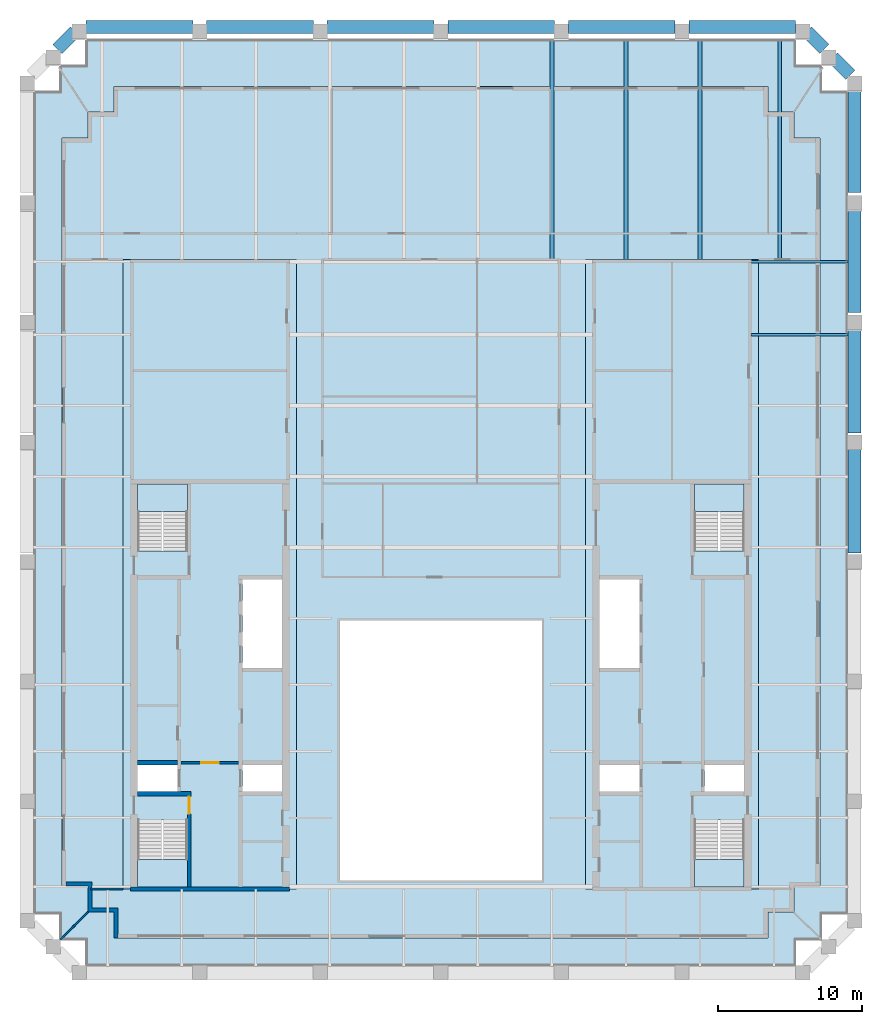
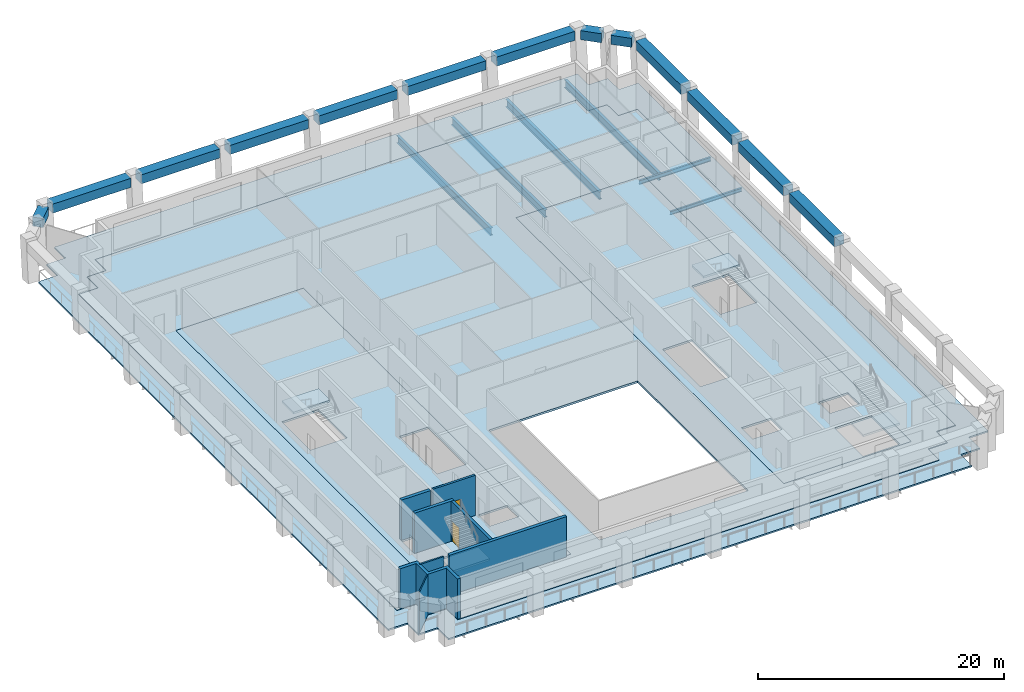
# One storey, part 2 of 8: 19 beams, 8 slabs, 8 walls, 2 doors, 2 openings, 4 elements without a shape of their own.
"""IFC4 building model written with IfcOpenShell, lengths in metres."""

from ifc_helpers import new_model, si_unit, direction, frame, frame_2d, origin, origin_2d, place, context, subcontext, project, spatial, polyline, rectangle, i_section, outline, extrude, material, layer, layer_set, material_profile, profile_set, type_object, element, fill, aggregate, save


model = new_model("IFC4")

# Units and contexts
model_context = context("Model", 3, precision=1e-05, world=origin(), true_north=direction((0.0, 1.0)))
body_context = subcontext(model_context, "Body", "Model", "MODEL_VIEW")
ifc_project = project(units=[si_unit("LENGTHUNIT", "METRE"), si_unit("AREAUNIT", "SQUARE_METRE"), si_unit("VOLUMEUNIT", "CUBIC_METRE"), si_unit("PLANEANGLEUNIT", "RADIAN"), si_unit("MASSUNIT", "GRAM", prefix="KILO")], contexts=[model_context])

# Site, building, storey
site_placement = place(None, origin())
site = spatial("IfcSite", under=ifc_project, at=site_placement, CompositionType="ELEMENT")
building_placement = place(site_placement, origin())
building = spatial("IfcBuilding", under=site, at=building_placement, Name="Ogive Exchange Tower", CompositionType="ELEMENT")
storey_placement = place(building_placement, frame((0.0, 0.0, 317.39990234375)))
storey = spatial("IfcBuildingStorey", under=building, at=storey_placement, Name="L69", CompositionType="ELEMENT", Elevation=317.39990234375)

# Beams
ifc_material_1 = material(Name="Steel ASTM A992 Gr50", Category="steel")
ifc_material_profile_1 = material_profile(ifc_material_1, i_section(OverallWidth=0.1708984375, OverallDepth=0.35595703125, WebThickness=0.00732421875, FlangeThickness=0.01171875, at=origin_2d()), Name="W360x51")
ifc_profile_set_1 = profile_set([ifc_material_profile_1], Name="Steel ASTM A992 Gr50")
beam_type_1 = type_object("IfcBeamType", Name="Floor beam W360x51", PredefinedType="JOIST", material=ifc_profile_set_1)
beam_1_placement = place(storey_placement, frame((21.47998046875, 35.782958984375, -0.3779296875), z_axis=(1.0, 0.0, 0.0), x_axis=(0.0, 1.0, 0.0)))
element("IfcBeam", 1, at=beam_1_placement, inside=storey, type_object=beam_type_1, Name="Floor beam", PredefinedType="JOIST", context=body_context, shape_type="SweptSolid", body=[
    extrude(i_section(OverallWidth=0.1708984375, OverallDepth=0.35595703125, WebThickness=0.00732421875, FlangeThickness=0.01171875, at=origin_2d()), origin(), (0.0, 0.0, 1.0), 6.719970703125),
])
ifc_material_profile_2 = material_profile(ifc_material_1, i_section(OverallWidth=0.26708984375, OverallDepth=0.75390625, WebThickness=0.01318359375, FlangeThickness=0.01708984375, at=origin_2d()), Name="W760x147")
ifc_profile_set_2 = profile_set([ifc_material_profile_2], Name="Steel ASTM A992 Gr50")
beam_type_2 = type_object("IfcBeamType", Name="Floor beam W760x147", PredefinedType="JOIST", material=ifc_profile_set_2)
beam_2_placement = place(storey_placement, frame((7.69091796875, 40.9951171875, -0.576904296875), z_axis=(0.0, 1.0, 0.0), x_axis=(-1.0, 0.0, 0.0)))
element("IfcBeam", 2, at=beam_2_placement, inside=storey, type_object=beam_type_2, Name="Floor beam", PredefinedType="JOIST", context=body_context, shape_type="SweptSolid", body=[
    extrude(i_section(OverallWidth=0.26708984375, OverallDepth=0.75390625, WebThickness=0.01318359375, FlangeThickness=0.01708984375, at=origin_2d()), origin(), (0.0, 0.0, 1.0), 15.263916015625),
])
for number, where, z_axis, x_axis, name in (
    (3, (12.818115234375, 41.0, -0.576904296875), (0.0, 1.0, 0.0), (-1.0, 0.0, 0.0), "Floor beam"),
    (4, (17.945556640625, 41.0, -0.576904296875), (0.0, 1.0, 0.0), (-1.0, 0.0, 0.0), "Floor beam"),
):
    element("IfcBeam", number, at=place(storey_placement, frame(where, z_axis=z_axis, x_axis=x_axis)), inside=storey, type_object=beam_type_2, Name=name, PredefinedType="JOIST", context=body_context, shape_type="SweptSolid", body=[
        extrude(i_section(OverallWidth=0.26708984375, OverallDepth=0.75390625, WebThickness=0.01318359375, FlangeThickness=0.01708984375, at=origin_2d()), origin(), (0.0, 0.0, 1.0), 15.259033203125),
    ])
beam_3_placement = place(storey_placement, frame((23.47265625, 40.93408203125, -0.576904296875), z_axis=(0.0, 1.0, 0.0), x_axis=(-1.0, 0.0, 0.0)))
element("IfcBeam", 5, at=beam_3_placement, inside=storey, type_object=beam_type_2, Name="Floor beam", PredefinedType="JOIST", context=body_context, shape_type="SweptSolid", body=[
    extrude(i_section(OverallWidth=0.26708984375, OverallDepth=0.75390625, WebThickness=0.01318359375, FlangeThickness=0.01708984375, at=origin_2d()), origin(), (0.0, 0.0, 1.0), 15.324951171875),
])
ifc_material_profile_3 = material_profile(ifc_material_1, i_section(OverallWidth=0.177978515625, OverallDepth=0.406005859375, WebThickness=0.0078125, FlangeThickness=0.0126953125, at=origin_2d()), Name="W410x60")
ifc_profile_set_3 = profile_set([ifc_material_profile_3], Name="Steel ASTM A992 Gr50")
beam_type_3 = type_object("IfcBeamType", Name="Girder W410x60", PredefinedType="BEAM", material=ifc_profile_set_3)
beam_4_placement = place(storey_placement, frame((21.47998046875, 40.844970703125, -0.40283203125), z_axis=(1.0, 0.0, 0.0), x_axis=(0.0, 1.0, 0.0)))
element("IfcBeam", 6, at=beam_4_placement, inside=storey, type_object=beam_type_3, Name="Header girder", PredefinedType="BEAM", context=body_context, shape_type="SweptSolid", body=[
    extrude(i_section(OverallWidth=0.177978515625, OverallDepth=0.406005859375, WebThickness=0.0078125, FlangeThickness=0.0126953125, at=origin_2d()), origin(), (0.0, 0.0, 1.0), 6.719970703125),
])
ifc_material_2 = material(Name="Precast concrete C70/85 (limestone faced)", Category="masonry")
ifc_material_profile_4 = material_profile(ifc_material_2, rectangle(XDim=0.89990234375, YDim=0.89990234375, at=origin_2d()), Name="900 x 900")
ifc_profile_set_4 = profile_set([ifc_material_profile_4], Name="Precast concrete C70/85 (limestone faced)")
beam_type_4 = type_object("IfcBeamType", Name="Precast spandrel 900 x 900 C70/85", PredefinedType="SPANDREL", material=ifc_profile_set_4)
beam_5_placement = place(storey_placement, frame((28.64990234375, 20.661865234375, 3.5), z_axis=(0.0, 1.0, 0.0), x_axis=(-1.0, 0.0, 0.0)))
element("IfcBeam", 7, at=beam_5_placement, inside=storey, type_object=beam_type_4, Name="Spandrel 12", PredefinedType="SPANDREL", context=body_context, shape_type="SweptSolid", body=[
    extrude(rectangle(XDim=0.89990234375, YDim=0.89990234375, at=origin_2d()), origin(), (0.0, 0.0, 1.0), 7.3671875),
])
beam_6_placement = place(storey_placement, frame((28.64990234375, 28.989013671875, 3.5), z_axis=(0.0, 1.0, 0.0), x_axis=(-1.0, 0.0, 0.0)))
element("IfcBeam", 8, at=beam_6_placement, inside=storey, type_object=beam_type_4, Name="Spandrel 13", PredefinedType="SPANDREL", context=body_context, shape_type="SweptSolid", body=[
    extrude(rectangle(XDim=0.89990234375, YDim=0.89990234375, at=origin_2d()), origin(), (0.0, 0.0, 1.0), 7.367431640625),
])
beam_7_placement = place(storey_placement, frame((28.64990234375, 37.31640625, 3.5), z_axis=(0.0, 1.0, 0.0), x_axis=(-1.0, 0.0, 0.0)))
element("IfcBeam", 9, at=beam_7_placement, inside=storey, type_object=beam_type_4, Name="Spandrel 14", PredefinedType="SPANDREL", context=body_context, shape_type="SweptSolid", body=[
    extrude(rectangle(XDim=0.89990234375, YDim=0.89990234375, at=origin_2d()), origin(), (0.0, 0.0, 1.0), 7.3671875),
])
beam_8_placement = place(storey_placement, frame((28.64990234375, 45.6435546875, 3.5), z_axis=(0.0, 1.0, 0.0), x_axis=(-1.0, 0.0, 0.0)))
element("IfcBeam", 10, at=beam_8_placement, inside=storey, type_object=beam_type_4, Name="Spandrel 15", PredefinedType="SPANDREL", context=body_context, shape_type="SweptSolid", body=[
    extrude(rectangle(XDim=0.89990234375, YDim=0.89990234375, at=origin_2d()), origin(), (0.0, 0.0, 1.0), 7.367431640625),
])
for number, where, z_axis, x_axis, name in (
    (11, (28.362060546875, 53.77880859375, 3.5), (-0.707106781187, 0.707106781187, 0.0), (-0.707106781187, -0.707106781187, 0.0), "Spandrel 16"),
    (12, (26.56201171875, 55.578857421875, 3.5), (-0.707106781187, 0.707106781187, 0.0), (-0.707106781187, -0.707106781187, 0.0), "Spandrel 17"),
):
    element("IfcBeam", number, at=place(storey_placement, frame(where, z_axis=z_axis, x_axis=x_axis)), inside=storey, type_object=beam_type_4, Name=name, PredefinedType="SPANDREL", context=body_context, shape_type="SweptSolid", body=[
        extrude(rectangle(XDim=0.89990234375, YDim=0.89990234375, at=origin_2d()), origin(), (0.0, 0.0, 1.0), 1.731201171875),
    ])
beam_9_placement = place(storey_placement, frame((24.570068359375, 57.0908203125, 3.5), z_axis=(-1.0, 0.0, 0.0), x_axis=(0.0, -1.0, 0.0)))
element("IfcBeam", 13, at=beam_9_placement, inside=storey, type_object=beam_type_4, Name="Spandrel 18", PredefinedType="SPANDREL", context=body_context, shape_type="SweptSolid", body=[
    extrude(rectangle(XDim=0.89990234375, YDim=0.89990234375, at=origin_2d()), origin(), (0.0, 0.0, 1.0), 7.39013671875),
])
beam_10_placement = place(storey_placement, frame((16.219970703125, 57.0908203125, 3.5), z_axis=(-1.0, 0.0, 0.0), x_axis=(0.0, -1.0, 0.0)))
element("IfcBeam", 14, at=beam_10_placement, inside=storey, type_object=beam_type_4, Name="Spandrel 19", PredefinedType="SPANDREL", context=body_context, shape_type="SweptSolid", body=[
    extrude(rectangle(XDim=0.89990234375, YDim=0.89990234375, at=origin_2d()), origin(), (0.0, 0.0, 1.0), 7.389892578125),
])
for number, where, z_axis, x_axis, name in (
    (15, (7.8701171875, 57.0908203125, 3.5), (-1.0, 0.0, 0.0), (0.0, -1.0, 0.0), "Spandrel 20"),
    (16, (-0.47998046875, 57.0908203125, 3.5), (-1.0, 0.0, 0.0), (0.0, -1.0, 0.0), "Spandrel 21"),
):
    element("IfcBeam", number, at=place(storey_placement, frame(where, z_axis=z_axis, x_axis=x_axis)), inside=storey, type_object=beam_type_4, Name=name, PredefinedType="SPANDREL", context=body_context, shape_type="SweptSolid", body=[
        extrude(rectangle(XDim=0.89990234375, YDim=0.89990234375, at=origin_2d()), origin(), (0.0, 0.0, 1.0), 7.39013671875),
    ])
beam_11_placement = place(storey_placement, frame((-8.830078125, 57.0908203125, 3.5), z_axis=(-1.0, 0.0, 0.0), x_axis=(0.0, -1.0, 0.0)))
element("IfcBeam", 17, at=beam_11_placement, inside=storey, type_object=beam_type_4, Name="Spandrel 22", PredefinedType="SPANDREL", context=body_context, shape_type="SweptSolid", body=[
    extrude(rectangle(XDim=0.89990234375, YDim=0.89990234375, at=origin_2d()), origin(), (0.0, 0.0, 1.0), 7.389892578125),
])
beam_12_placement = place(storey_placement, frame((-17.179931640625, 57.0908203125, 3.5), z_axis=(-1.0, 0.0, 0.0), x_axis=(0.0, -1.0, 0.0)))
element("IfcBeam", 18, at=beam_12_placement, inside=storey, type_object=beam_type_4, Name="Spandrel 23", PredefinedType="SPANDREL", context=body_context, shape_type="SweptSolid", body=[
    extrude(rectangle(XDim=0.89990234375, YDim=0.89990234375, at=origin_2d()), origin(), (0.0, 0.0, 1.0), 7.39013671875),
])
beam_13_placement = place(storey_placement, frame((-25.337890625, 56.802978515625, 3.5), z_axis=(-0.707106781187, -0.707106781187, 0.0), x_axis=(0.707106781187, -0.707106781187, 0.0)))
element("IfcBeam", 19, at=beam_13_placement, inside=storey, type_object=beam_type_4, Name="Spandrel 24", PredefinedType="SPANDREL", context=body_context, shape_type="SweptSolid", body=[
    extrude(rectangle(XDim=0.89990234375, YDim=0.89990234375, at=origin_2d()), origin(), (0.0, 0.0, 1.0), 1.731201171875),
])

# Slabs
ifc_material_3 = material(Name="Concrete C50/60", Category="concrete")
ifc_layer_1 = layer(ifc_material_3, 0.199951171875)
ifc_layer_set_1 = layer_set([ifc_layer_1], Name="Composite floor slab 200")
slab_type_1 = type_object("IfcSlabType", Name="Composite floor slab 200", PredefinedType="FLOOR", material=ifc_layer_set_1)
slab_1_placement = place(storey_placement, frame((0.0, 0.0, -0.199951171875)))
element("IfcSlab", 20, at=slab_1_placement, inside=storey, type_object=slab_type_1, Name="Composite floor slab", PredefinedType="FLOOR", context=body_context, shape_type="SweptSolid", body=[
    extrude(outline(polyline([(-22.64990234375, -4.199951171875), (-24.449951171875, -4.199951171875), (-24.449951171875, -2.39990234375), (-26.25, -2.39990234375), (-26.25, 49.39990234375), (-24.449951171875, 49.39990234375), (-24.449951171875, 51.199951171875), (-22.64990234375, 51.199951171875), (-22.64990234375, 53.0), (22.64990234375, 53.0), (22.64990234375, 51.199951171875), (24.449951171875, 51.199951171875), (24.449951171875, 49.39990234375), (26.25, 49.39990234375), (26.25, -2.39990234375), (24.449951171875, -2.39990234375), (24.449951171875, -4.199951171875), (22.64990234375, -4.199951171875), (22.64990234375, -6.0), (-22.64990234375, -6.0), (-22.64990234375, -4.199951171875)]), holes=[polyline([(7.0, -2.0), (7.0, 16.0), (-7.0, 16.0), (-7.0, -2.0), (7.0, -2.0)]), polyline([(-22.0, -2.60009765625), (-10.0, -2.60009765625), (-10.0, 41.0), (-22.0, 41.0), (-22.0, -2.60009765625)]), polyline([(10.0, -2.60009765625), (22.0, -2.60009765625), (22.0, 41.0), (10.0, 41.0), (10.0, -2.60009765625)])]), origin(), (0.0, 0.0, 1.0), 0.199951171875),
])
ifc_material_4 = material(Name="Concrete C70/85", Category="concrete")
ifc_layer_2 = layer(ifc_material_4, 0.199951171875)
ifc_layer_set_2 = layer_set([ifc_layer_2], Name="Core floor slab 200")
slab_type_2 = type_object("IfcSlabType", Name="Core floor slab 200", PredefinedType="FLOOR", material=ifc_layer_set_2)
slab_2_placement = place(storey_placement, frame((0.0, 0.0, -0.199951171875)))
element("IfcSlab", 21, at=slab_2_placement, inside=storey, type_object=slab_type_2, Name="Core floor slab", PredefinedType="FLOOR", context=body_context, shape_type="SweptSolid", body=[
    extrude(outline(polyline([(-22.0, -2.60009765625), (-22.0, 41.0), (-10.0, 41.0), (-10.0, -2.60009765625), (-22.0, -2.60009765625)]), holes=[polyline([(-17.550048828125, 2.196044921875), (-21.0, 2.196044921875), (-21.0, -2.449951171875), (-17.550048828125, -2.449951171875), (-17.550048828125, 2.196044921875)]), polyline([(-21.0, 5.992919921875), (-21.0, 4.14990234375), (-18.25, 4.14990234375), (-18.25, 5.992919921875), (-21.0, 5.992919921875)]), polyline([(-13.75, 5.992919921875), (-13.75, 4.14990234375), (-11.0, 4.14990234375), (-11.0, 5.992919921875), (-13.75, 5.992919921875)]), polyline([(-11.0, 18.85009765625), (-13.75, 18.85009765625), (-13.75, 12.721435546875), (-11.0, 12.721435546875), (-11.0, 18.85009765625)]), polyline([(-21.0, 25.449951171875), (-21.0, 20.803955078125), (-17.550048828125, 20.803955078125), (-17.550048828125, 25.449951171875), (-21.0, 25.449951171875)])]), origin(), (0.0, 0.0, 1.0), 0.199951171875),
])
slab_3_placement = place(storey_placement, frame((0.0, 0.0, -0.199951171875)))
element("IfcSlab", 22, at=slab_3_placement, inside=storey, type_object=slab_type_2, Name="Core floor slab", PredefinedType="FLOOR", context=body_context, shape_type="SweptSolid", body=[
    extrude(outline(polyline([(10.0, -2.60009765625), (10.0, 41.0), (22.0, 41.0), (22.0, -2.60009765625), (10.0, -2.60009765625)]), holes=[polyline([(21.0, 2.196044921875), (17.550048828125, 2.196044921875), (17.550048828125, -2.449951171875), (21.0, -2.449951171875), (21.0, 2.196044921875)]), polyline([(11.0, 5.992919921875), (11.0, 4.14990234375), (13.75, 4.14990234375), (13.75, 5.992919921875), (11.0, 5.992919921875)]), polyline([(18.25, 5.992919921875), (18.25, 4.14990234375), (21.0, 4.14990234375), (21.0, 5.992919921875), (18.25, 5.992919921875)]), polyline([(13.75, 18.85009765625), (11.0, 18.85009765625), (11.0, 12.721435546875), (13.75, 12.721435546875), (13.75, 18.85009765625)]), polyline([(17.550048828125, 25.449951171875), (17.550048828125, 20.803955078125), (21.0, 20.803955078125), (21.0, 25.449951171875), (17.550048828125, 25.449951171875)])]), origin(), (0.0, 0.0, 1.0), 0.199951171875),
])
ifc_layer_3 = layer(ifc_material_3, 0.14990234375)
ifc_layer_set_3 = layer_set([ifc_layer_3], Name="Loggia deck 150")
slab_type_3 = type_object("IfcSlabType", Name="Loggia deck 150", PredefinedType="FLOOR", material=ifc_layer_set_3)
slab_4_placement = place(storey_placement, frame((0.0, 0.0, -0.199951171875)))
element("IfcSlab", 23, at=slab_4_placement, inside=storey, type_object=slab_type_3, Name="Loggia deck", PredefinedType="FLOOR", context=body_context, shape_type="SweptSolid", body=[
    extrude(outline(polyline([(-24.60009765625, -6.14990234375), (-26.39990234375, -6.14990234375), (-26.39990234375, -4.35009765625), (-28.199951171875, -4.35009765625), (-28.199951171875, 52.6591796875), (-26.39990234375, 52.6591796875), (-26.39990234375, 54.458984375), (-24.60009765625, 54.458984375), (-24.60009765625, 56.259033203125), (24.60009765625, 56.259033203125), (24.60009765625, 54.458984375), (26.39990234375, 54.458984375), (26.39990234375, 52.6591796875), (28.199951171875, 52.6591796875), (28.199951171875, -4.35009765625), (26.39990234375, -4.35009765625), (26.39990234375, -6.14990234375), (24.60009765625, -6.14990234375), (24.60009765625, -7.949951171875), (-24.60009765625, -7.949951171875), (-24.60009765625, -6.14990234375)]), holes=[polyline([(22.64990234375, -4.199951171875), (24.449951171875, -4.199951171875), (24.449951171875, -2.39990234375), (26.25, -2.39990234375), (26.25, 49.39990234375), (24.449951171875, 49.39990234375), (24.449951171875, 51.199951171875), (22.64990234375, 51.199951171875), (22.64990234375, 53.0), (-22.64990234375, 53.0), (-22.64990234375, 51.199951171875), (-24.449951171875, 51.199951171875), (-24.449951171875, 49.39990234375), (-26.25, 49.39990234375), (-26.25, -2.39990234375), (-24.449951171875, -2.39990234375), (-24.449951171875, -4.199951171875), (-22.64990234375, -4.199951171875), (-22.64990234375, -6.0), (22.64990234375, -6.0), (22.64990234375, -4.199951171875)])]), origin(), (0.0, 0.0, 1.0), 0.150146484375),
])

# Stair, slab
ifc_material_5 = material(Name="Concrete C40/50", Category="concrete")
stair_type = type_object("IfcStairType", Name="Exit stair 1650 wide", PredefinedType="HALF_TURN_STAIR", material=ifc_material_5)
stair_1_placement = place(storey_placement, origin())
stair_1 = element("IfcStair", 24, at=stair_1_placement, inside=storey, type_object=stair_type, Name="L69 exit stair ST1", PredefinedType="HALF_TURN_STAIR")
ifc_layer_4 = layer(ifc_material_5, 0.199951171875)
ifc_layer_set_4 = layer_set([ifc_layer_4], Name="Stair landing 200 slab")
slab_type_4 = type_object("IfcSlabType", Name="Stair landing 200 slab", PredefinedType="LANDING", material=ifc_layer_set_4)
slab_5_placement = place(storey_placement, frame((0.0, 0.0, 1.900146484375)))
slab_5 = element("IfcSlab", 25, at=slab_5_placement, type_object=slab_type_4, Name="ST1 landing 1", PredefinedType="LANDING", context=body_context, shape_type="SweptSolid", body=[
    extrude(outline(polyline([(-21.0, -0.550048828125), (-21.0, -2.449951171875), (-17.550048828125, -2.449951171875), (-17.550048828125, -0.550048828125), (-21.0, -0.550048828125)])), origin(), (0.0, 0.0, 1.0), 0.199951171875),
])
aggregate(stair_1, [slab_5])

stair_2_placement = place(storey_placement, origin())
stair_2 = element("IfcStair", 26, at=stair_2_placement, inside=storey, type_object=stair_type, Name="L69 exit stair ST2", PredefinedType="HALF_TURN_STAIR")
slab_6_placement = place(storey_placement, frame((0.0, 0.0, 1.900146484375)))
slab_6 = element("IfcSlab", 27, at=slab_6_placement, type_object=slab_type_4, Name="ST2 landing 1", PredefinedType="LANDING", context=body_context, shape_type="SweptSolid", body=[
    extrude(outline(polyline([(-17.550048828125, 23.550048828125), (-17.550048828125, 25.449951171875), (-21.0, 25.449951171875), (-21.0, 23.550048828125), (-17.550048828125, 23.550048828125)])), origin(), (0.0, 0.0, 1.0), 0.199951171875),
])
aggregate(stair_2, [slab_6])

stair_3_placement = place(storey_placement, origin())
stair_3 = element("IfcStair", 28, at=stair_3_placement, inside=storey, type_object=stair_type, Name="L69 exit stair ST3", PredefinedType="HALF_TURN_STAIR")
slab_7_placement = place(storey_placement, frame((0.0, 0.0, 1.900146484375)))
slab_7 = element("IfcSlab", 29, at=slab_7_placement, type_object=slab_type_4, Name="ST3 landing 1", PredefinedType="LANDING", context=body_context, shape_type="SweptSolid", body=[
    extrude(outline(polyline([(17.550048828125, -0.550048828125), (17.550048828125, -2.449951171875), (21.0, -2.449951171875), (21.0, -0.550048828125), (17.550048828125, -0.550048828125)])), origin(), (0.0, 0.0, 1.0), 0.199951171875),
])
aggregate(stair_3, [slab_7])

stair_4_placement = place(storey_placement, origin())
stair_4 = element("IfcStair", 30, at=stair_4_placement, inside=storey, type_object=stair_type, Name="L69 exit stair ST4", PredefinedType="HALF_TURN_STAIR")
slab_8_placement = place(storey_placement, frame((0.0, 0.0, 1.900146484375)))
slab_8 = element("IfcSlab", 31, at=slab_8_placement, type_object=slab_type_4, Name="ST4 landing 1", PredefinedType="LANDING", context=body_context, shape_type="SweptSolid", body=[
    extrude(outline(polyline([(21.0, 23.550048828125), (21.0, 25.449951171875), (17.550048828125, 25.449951171875), (17.550048828125, 23.550048828125), (21.0, 23.550048828125)])), origin(), (0.0, 0.0, 1.0), 0.199951171875),
])
aggregate(stair_4, [slab_8])

# Walls
ifc_material_6 = material(Name="Fire partition EI 60 150")
ifc_layer_5 = layer(ifc_material_6, 0.14990234375)
ifc_layer_set_5 = layer_set([ifc_layer_5], Name="Fire partition EI 60 150")
wall_type_1 = type_object("IfcWallType", Name="Fire partition EI 60 150", PredefinedType="PARTITIONING", material=ifc_layer_set_5)
wall_1_placement = place(storey_placement, frame((-24.25, -2.60009765625, 0.0), z_axis=(0.0, 0.0, 1.0), x_axis=(1.0, 0.0, 0.0)))
element("IfcWall", 32, at=wall_1_placement, inside=storey, type_object=wall_type_1, Name="L69-PWL-002", PredefinedType="PARTITIONING", context=body_context, shape_type="SweptSolid", body=[
    extrude(rectangle(XDim=2.25, YDim=0.14990234375, at=frame_2d((1.125, 0.0))), origin(), (0.0, 0.0, 1.0), 4.0),
])
ifc_material_7 = material(Name="Precast concrete C40/50", Category="concrete")
ifc_layer_6 = layer(ifc_material_7, 0.300048828125)
ifc_layer_set_6 = layer_set([ifc_layer_6], Name="Limestone-faced wall 300")
wall_type_2 = type_object("IfcWallType", Name="Limestone-faced wall 300", PredefinedType="STANDARD", material=ifc_layer_set_6)
wall_2_placement = place(storey_placement, origin())
element("IfcWall", 33, at=wall_2_placement, inside=storey, type_object=wall_type_2, Name="External corner wall C4", PredefinedType="STANDARD", context=body_context, shape_type="SweptSolid", body=[
    extrude(outline(polyline([(-22.64990234375, -4.199951171875), (-24.449951171875, -4.199951171875), (-24.449951171875, -2.39990234375), (-25.949951171875, -2.39990234375), (-25.949951171875, -2.10009765625), (-24.14990234375, -2.10009765625), (-24.14990234375, -3.89990234375), (-22.35009765625, -3.89990234375), (-22.35009765625, -6.0), (-22.64990234375, -6.0), (-22.64990234375, -4.199951171875)])), origin(), (0.0, 0.0, 1.0), 4.0),
])
ifc_material_8 = material(Name="Laminated safety glass in steel frame", Category="steel")
ifc_layer_7 = layer(ifc_material_8, 0.10009765625)
ifc_layer_set_7 = layer_set([ifc_layer_7], Name="Loggia end screen 100")
wall_type_3 = type_object("IfcWallType", Name="Loggia end screen 100", PredefinedType="STANDARD", material=ifc_layer_set_7)
wall_3_placement = place(storey_placement, frame((-24.449951171875, -4.199951171875, -0.0498046875), z_axis=(0.0, 0.0, 1.0), x_axis=(-0.707106781187, -0.707106781187, 0.0)))
element("IfcWall", 34, at=wall_3_placement, inside=storey, type_object=wall_type_3, Name="Loggia end screen C4", PredefinedType="STANDARD", context=body_context, shape_type="SweptSolid", body=[
    extrude(rectangle(XDim=2.667236328125, YDim=0.10009765625, at=frame_2d((1.33349609375, 0.0))), origin(), (0.0, 0.0, 1.0), 4.0498046875),
])

# Wall, opening, door
ifc_layer_8 = layer(ifc_material_4, 0.199951171875)
ifc_layer_set_8 = layer_set([ifc_layer_8], Name="RC core wall 200 C70/85")
wall_type_4 = type_object("IfcWallType", Name="RC core wall 200 C70/85", PredefinedType="SHEAR", material=ifc_layer_set_8)
wall_4_placement = place(storey_placement, frame((-18.0, 6.142822265625, 0.0), z_axis=(0.0, 0.0, 1.0), x_axis=(1.0, 0.0, 0.0)))
wall_4 = element("IfcWall", 35, at=wall_4_placement, inside=storey, type_object=wall_type_4, Name="W firefighting lobby wall", PredefinedType="SHEAR", context=body_context, shape_type="SweptSolid", body=[
    extrude(rectangle(XDim=4.0, YDim=0.199951171875, at=frame_2d((2.0, 0.0))), origin(), (0.0, 0.0, 1.0), 4.0),
])
opening_1_placement = place(wall_4_placement, frame((1.39990234375, 0.0, 0.0)))
opening_1 = element("IfcOpeningElement", 36, at=opening_1_placement, cuts=wall_4, Name="Opening L69-C09", PredefinedType="OPENING", context=body_context, shape_type="SweptSolid", body=[
    extrude(rectangle(XDim=1.199951171875, YDim=2.10009765625, at=frame_2d((0.60009765625, 1.050048828125))), frame((0.0, 0.10986328125, 0.0), z_axis=(0.0, -1.0, 0.0), x_axis=(1.0, 0.0, 0.0)), (0.0, 0.0, 1.0), 0.219970703125),
])
ifc_material_9 = material(Name="Steel fire door", Category="steel")
door_type_1 = type_object("IfcDoorType", Name="Firefighting lobby door FD60 1200 x 2100", OperationType="NOTDEFINED", PredefinedType="DOOR", material=ifc_material_9)
door_1_placement = place(opening_1_placement, frame((1.199951171875, 0.0, 0.0), z_axis=(0.0, 0.0, 1.0), x_axis=(-1.0, 0.0, 0.0)))
door_1 = element("IfcDoor", 37, at=door_1_placement, inside=storey, type_object=door_type_1, Name="Firefighting lobby door", ObjectType="CD3", OperationType="SINGLE_SWING_RIGHT", OverallHeight=2.10009765625, OverallWidth=1.199951171875, PredefinedType="DOOR", context=body_context, shape_type="SweptSolid", body=[
    extrude(rectangle(XDim=1.199951171875, YDim=2.10009765625, at=frame_2d((0.60009765625, 1.050048828125))), frame((0.0, 0.02490234375, 0.0), z_axis=(0.0, -1.0, 0.0), x_axis=(1.0, 0.0, 0.0)), (0.0, 0.0, 1.0), 0.050048828125),
])
fill(opening_1, door_1)

ifc_layer_9 = layer(ifc_material_4, 0.25)
ifc_layer_set_9 = layer_set([ifc_layer_9], Name="RC core wall 250 C70/85")
wall_type_5 = type_object("IfcWallType", Name="RC core wall 250 C70/85", PredefinedType="SHEAR", material=ifc_layer_set_9)
wall_5_placement = place(storey_placement, frame((-17.425048828125, -2.449951171875, 0.0), z_axis=(0.0, 0.0, 1.0), x_axis=(0.0, 1.0, 0.0)))
wall_5 = element("IfcWall", 38, at=wall_5_placement, inside=storey, type_object=wall_type_5, Name="W stair S front wall", PredefinedType="SHEAR", context=body_context, shape_type="SweptSolid", body=[
    extrude(rectangle(XDim=6.300048828125, YDim=0.25, at=frame_2d((3.14990234375, 0.0))), origin(), (0.0, 0.0, 1.0), 4.0),
])
opening_2_placement = place(wall_5_placement, frame((5.050048828125, 0.0, 0.0)))
opening_2 = element("IfcOpeningElement", 39, at=opening_2_placement, cuts=wall_5, Name="Opening L69-C11", PredefinedType="OPENING", context=body_context, shape_type="SweptSolid", body=[
    extrude(rectangle(XDim=1.199951171875, YDim=2.10009765625, at=frame_2d((0.60009765625, 1.050048828125))), frame((0.0, 0.135009765625, 0.0), z_axis=(0.0, -1.0, 0.0), x_axis=(1.0, 0.0, 0.0)), (0.0, 0.0, 1.0), 0.27001953125),
])
door_type_2 = type_object("IfcDoorType", Name="Stair door FD90 1200 x 2100", OperationType="NOTDEFINED", PredefinedType="DOOR", material=ifc_material_9)
door_2_placement = place(opening_2_placement, origin())
door_2 = element("IfcDoor", 40, at=door_2_placement, inside=storey, type_object=door_type_2, Name="Stair door", ObjectType="CD5", OperationType="SINGLE_SWING_LEFT", OverallHeight=2.10009765625, OverallWidth=1.199951171875, PredefinedType="DOOR", context=body_context, shape_type="SweptSolid", body=[
    extrude(rectangle(XDim=1.199951171875, YDim=2.10009765625, at=frame_2d((0.60009765625, 1.050048828125))), frame((0.0, 0.02490234375, 0.0), z_axis=(0.0, -1.0, 0.0), x_axis=(1.0, 0.0, 0.0)), (0.0, 0.0, 1.0), 0.050048828125),
])
fill(opening_2, door_2)

# Walls
ifc_layer_10 = layer(ifc_material_4, 0.300048828125)
ifc_layer_set_10 = layer_set([ifc_layer_10], Name="RC core wall 300 C70/85")
wall_type_6 = type_object("IfcWallType", Name="RC core wall 300 C70/85", PredefinedType="SHEAR", material=ifc_layer_set_10)
wall_6_placement = place(storey_placement, frame((-21.5, -2.60009765625, 0.0), z_axis=(0.0, 0.0, 1.0), x_axis=(1.0, 0.0, 0.0)))
element("IfcWall", 41, at=wall_6_placement, inside=storey, type_object=wall_type_6, Name="W south end wall", PredefinedType="SHEAR", context=body_context, shape_type="SweptSolid", body=[
    extrude(rectangle(XDim=11.0, YDim=0.300048828125, at=frame_2d((5.5, 0.0))), origin(), (0.0, 0.0, 1.0), 4.0),
])
wall_7_placement = place(storey_placement, frame((-21.0, 4.0, 0.0), z_axis=(0.0, 0.0, 1.0), x_axis=(1.0, 0.0, 0.0)))
element("IfcWall", 42, at=wall_7_placement, inside=storey, type_object=wall_type_6, Name="W stair S north wall", PredefinedType="SHEAR", context=body_context, shape_type="SweptSolid", body=[
    extrude(rectangle(XDim=3.699951171875, YDim=0.300048828125, at=frame_2d((1.85009765625, 0.0))), origin(), (0.0, 0.0, 1.0), 4.0),
])
wall_8_placement = place(storey_placement, frame((-21.0, 6.142822265625, 0.0), z_axis=(0.0, 0.0, 1.0), x_axis=(1.0, 0.0, 0.0)))
element("IfcWall", 43, at=wall_8_placement, inside=storey, type_object=wall_type_6, Name="W row A divider 1", PredefinedType="SHEAR", context=body_context, shape_type="SweptSolid", body=[
    extrude(rectangle(XDim=2.75, YDim=0.300048828125, at=frame_2d((1.375, 0.0))), origin(), (0.0, 0.0, 1.0), 4.0),
])

save(model, "model.ifc")
